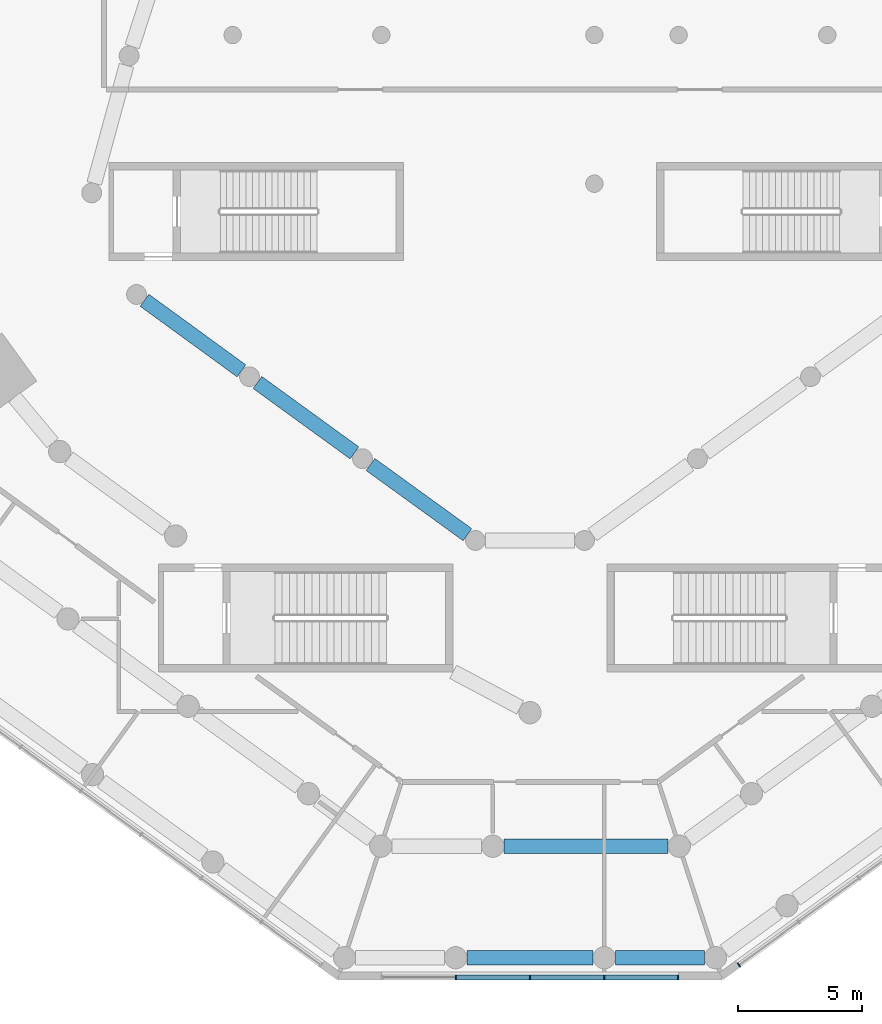
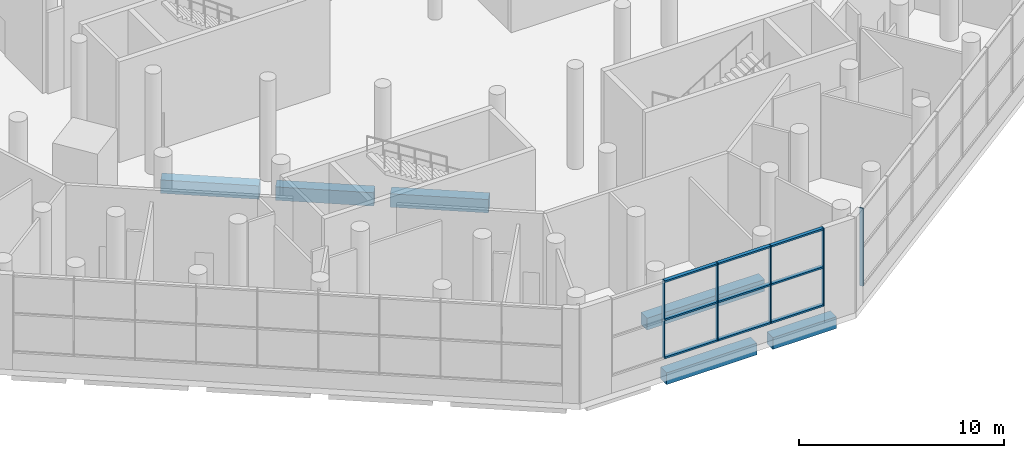
# One storey, part 4 of 19: 14 members, 6 beams, 2 elements without a shape of their own.
"""IFC4 building model written with IfcOpenShell, lengths in metres."""

from ifc_helpers import new_model, si_unit, direction, frame, origin, origin_2d, place, context, subcontext, project, spatial, rectangle, extrude, material, material_profile, profile_set, type_object, element, aggregate, save


model = new_model("IFC4")

# Units and contexts
model_context = context("Model", 3, precision=1e-05, world=origin(), true_north=direction((0.0, 1.0)))
body_context = subcontext(model_context, "Body", "Model", "MODEL_VIEW")
ifc_project = project(units=[si_unit("LENGTHUNIT", "METRE"), si_unit("AREAUNIT", "SQUARE_METRE"), si_unit("VOLUMEUNIT", "CUBIC_METRE"), si_unit("PLANEANGLEUNIT", "RADIAN"), si_unit("MASSUNIT", "GRAM", prefix="KILO")], contexts=[model_context])

# Site, building, storey
site_placement = place(None, origin())
site = spatial("IfcSite", under=ifc_project, at=site_placement, CompositionType="ELEMENT")
building_placement = place(site_placement, origin())
building = spatial("IfcBuilding", under=site, at=building_placement, Name="White Candle Pilgrim Tower", CompositionType="ELEMENT")
storey_placement = place(building_placement, frame((0.0, 0.0, 23.0)))
storey = spatial("IfcBuildingStorey", under=building, at=storey_placement, Name="L03", CompositionType="ELEMENT", Elevation=23.0)

# Curtain wall, members
ifc_material_1 = material(Name="Aluminium and glass", Category="aluminium")
curtain_wall_type = type_object("IfcCurtainWallType", Name="Curtain wall CW2 prayer hall clerestory", PredefinedType="NOTDEFINED", material=ifc_material_1)
curtain_wall_1_placement = place(storey_placement, origin())
curtain_wall_1 = element("IfcCurtainWall", 1, at=curtain_wall_1_placement, inside=storey, type_object=curtain_wall_type, Name="Curtain wall CW2 L03 S chamfer", PredefinedType="NOTDEFINED")
ifc_material_2 = material(Name="Aluminium", Category="aluminium")
ifc_material_profile_1 = material_profile(ifc_material_2, rectangle(XDim=0.199951171875, YDim=0.050048828125, at=origin_2d()), Name="CW2 mullion 50x200")
ifc_profile_set_1 = profile_set([ifc_material_profile_1], Name="Aluminium")
member_type_1 = type_object("IfcMemberType", Name="CW2 mullion 50x200", PredefinedType="MULLION", material=ifc_profile_set_1)
member_1_placement = place(storey_placement, frame((67.0, 28.961181640625, 1.0), z_axis=(0.0, 0.0, 1.0), x_axis=(0.0, 1.0, 0.0)))
member_1 = element("IfcMember", 2, at=member_1_placement, type_object=member_type_1, Name="CW2 mullion 2", PredefinedType="MULLION", context=body_context, shape_type="SweptSolid", body=[
    extrude(rectangle(XDim=0.199951171875, YDim=0.050048828125, at=origin_2d()), origin(), (0.0, 0.0, 1.0), 4.64990234375),
])
member_2_placement = place(storey_placement, frame((70.0, 28.961181640625, 1.0), z_axis=(0.0, 0.0, 1.0), x_axis=(0.0, 1.0, 0.0)))
member_2 = element("IfcMember", 3, at=member_2_placement, type_object=member_type_1, Name="CW2 mullion 3", PredefinedType="MULLION", context=body_context, shape_type="SweptSolid", body=[
    extrude(rectangle(XDim=0.199951171875, YDim=0.050048828125, at=origin_2d()), origin(), (0.0, 0.0, 1.0), 4.64990234375),
])
member_3_placement = place(storey_placement, frame((73.0, 28.961181640625, 1.0), z_axis=(0.0, 0.0, 1.0), x_axis=(0.0, 1.0, 0.0)))
member_3 = element("IfcMember", 4, at=member_3_placement, type_object=member_type_1, Name="CW2 mullion 4", PredefinedType="MULLION", context=body_context, shape_type="SweptSolid", body=[
    extrude(rectangle(XDim=0.199951171875, YDim=0.050048828125, at=origin_2d()), origin(), (0.0, 0.0, 1.0), 4.64990234375),
])
member_4_placement = place(storey_placement, frame((75.97509765625, 28.961181640625, 1.0), z_axis=(0.0, 0.0, 1.0), x_axis=(0.0, 1.0, 0.0)))
member_4 = element("IfcMember", 5, at=member_4_placement, type_object=member_type_1, Name="CW2 mullion 5", PredefinedType="MULLION", context=body_context, shape_type="SweptSolid", body=[
    extrude(rectangle(XDim=0.199951171875, YDim=0.050048828125, at=origin_2d()), origin(), (0.0, 0.0, 1.0), 4.64990234375),
])

# Curtain wall, member
curtain_wall_2_placement = place(storey_placement, origin())
curtain_wall_2 = element("IfcCurtainWall", 6, at=curtain_wall_2_placement, inside=storey, type_object=curtain_wall_type, Name="Curtain wall CW2 L03 SE", PredefinedType="NOTDEFINED")
member_5_placement = place(storey_placement, frame((78.4365234375, 29.462890625, 1.0), z_axis=(0.0, 0.0, 1.0), x_axis=(-0.587785249384, 0.809016996488, 0.0)))
member_5 = element("IfcMember", 7, at=member_5_placement, type_object=member_type_1, Name="CW2 mullion 1", PredefinedType="MULLION", context=body_context, shape_type="SweptSolid", body=[
    extrude(rectangle(XDim=0.199951171875, YDim=0.050048828125, at=origin_2d()), origin(), (0.0, 0.0, 1.0), 4.64990234375),
])
aggregate(curtain_wall_2, [member_5])

# Member
ifc_material_profile_2 = material_profile(ifc_material_2, rectangle(XDim=0.199951171875, YDim=0.10009765625, at=origin_2d()), Name="CW2 transom 100x200")
ifc_profile_set_2 = profile_set([ifc_material_profile_2], Name="Aluminium")
member_type_2 = type_object("IfcMemberType", Name="CW2 transom 100x200", PredefinedType="USERDEFINED", material=ifc_profile_set_2)
member_6_placement = place(storey_placement, frame((67.02490234375, 28.961181640625, 1.050048828125), z_axis=(1.0, 0.0, 0.0), x_axis=(0.0, 1.0, 0.0)))
member_6 = element("IfcMember", 8, at=member_6_placement, type_object=member_type_2, Name="CW2 transom 2.1", ObjectType="TRANSOM", PredefinedType="USERDEFINED", context=body_context, shape_type="SweptSolid", body=[
    extrude(rectangle(XDim=0.199951171875, YDim=0.10009765625, at=origin_2d()), origin(), (0.0, 0.0, 1.0), 2.9501953125),
])

member_7_placement = place(storey_placement, frame((67.02490234375, 28.961181640625, 3.324951171875), z_axis=(1.0, 0.0, 0.0), x_axis=(0.0, 1.0, 0.0)))
member_7 = element("IfcMember", 9, at=member_7_placement, type_object=member_type_2, Name="CW2 transom 2.2", ObjectType="TRANSOM", PredefinedType="USERDEFINED", context=body_context, shape_type="SweptSolid", body=[
    extrude(rectangle(XDim=0.199951171875, YDim=0.10009765625, at=origin_2d()), origin(), (0.0, 0.0, 1.0), 2.9501953125),
])

member_8_placement = place(storey_placement, frame((67.02490234375, 28.961181640625, 5.60009765625), z_axis=(1.0, 0.0, 0.0), x_axis=(0.0, 1.0, 0.0)))
member_8 = element("IfcMember", 10, at=member_8_placement, type_object=member_type_2, Name="CW2 transom 2.3", ObjectType="TRANSOM", PredefinedType="USERDEFINED", context=body_context, shape_type="SweptSolid", body=[
    extrude(rectangle(XDim=0.199951171875, YDim=0.10009765625, at=origin_2d()), origin(), (0.0, 0.0, 1.0), 2.9501953125),
])

member_9_placement = place(storey_placement, frame((70.02490234375, 28.961181640625, 1.050048828125), z_axis=(1.0, 0.0, 0.0), x_axis=(0.0, 1.0, 0.0)))
member_9 = element("IfcMember", 11, at=member_9_placement, type_object=member_type_2, Name="CW2 transom 3.1", ObjectType="TRANSOM", PredefinedType="USERDEFINED", context=body_context, shape_type="SweptSolid", body=[
    extrude(rectangle(XDim=0.199951171875, YDim=0.10009765625, at=origin_2d()), origin(), (0.0, 0.0, 1.0), 2.9501953125),
])

member_10_placement = place(storey_placement, frame((70.02490234375, 28.961181640625, 3.324951171875), z_axis=(1.0, 0.0, 0.0), x_axis=(0.0, 1.0, 0.0)))
member_10 = element("IfcMember", 12, at=member_10_placement, type_object=member_type_2, Name="CW2 transom 3.2", ObjectType="TRANSOM", PredefinedType="USERDEFINED", context=body_context, shape_type="SweptSolid", body=[
    extrude(rectangle(XDim=0.199951171875, YDim=0.10009765625, at=origin_2d()), origin(), (0.0, 0.0, 1.0), 2.9501953125),
])

member_11_placement = place(storey_placement, frame((70.02490234375, 28.961181640625, 5.60009765625), z_axis=(1.0, 0.0, 0.0), x_axis=(0.0, 1.0, 0.0)))
member_11 = element("IfcMember", 13, at=member_11_placement, type_object=member_type_2, Name="CW2 transom 3.3", ObjectType="TRANSOM", PredefinedType="USERDEFINED", context=body_context, shape_type="SweptSolid", body=[
    extrude(rectangle(XDim=0.199951171875, YDim=0.10009765625, at=origin_2d()), origin(), (0.0, 0.0, 1.0), 2.9501953125),
])

member_12_placement = place(storey_placement, frame((73.02490234375, 28.961181640625, 1.050048828125), z_axis=(1.0, 0.0, 0.0), x_axis=(0.0, 1.0, 0.0)))
member_12 = element("IfcMember", 14, at=member_12_placement, type_object=member_type_2, Name="CW2 transom 4.1", ObjectType="TRANSOM", PredefinedType="USERDEFINED", context=body_context, shape_type="SweptSolid", body=[
    extrude(rectangle(XDim=0.199951171875, YDim=0.10009765625, at=origin_2d()), origin(), (0.0, 0.0, 1.0), 2.925048828125),
])

member_13_placement = place(storey_placement, frame((73.02490234375, 28.961181640625, 3.324951171875), z_axis=(1.0, 0.0, 0.0), x_axis=(0.0, 1.0, 0.0)))
member_13 = element("IfcMember", 15, at=member_13_placement, type_object=member_type_2, Name="CW2 transom 4.2", ObjectType="TRANSOM", PredefinedType="USERDEFINED", context=body_context, shape_type="SweptSolid", body=[
    extrude(rectangle(XDim=0.199951171875, YDim=0.10009765625, at=origin_2d()), origin(), (0.0, 0.0, 1.0), 2.925048828125),
])

member_14_placement = place(storey_placement, frame((73.02490234375, 28.961181640625, 5.60009765625), z_axis=(1.0, 0.0, 0.0), x_axis=(0.0, 1.0, 0.0)))
member_14 = element("IfcMember", 16, at=member_14_placement, type_object=member_type_2, Name="CW2 transom 4.3", ObjectType="TRANSOM", PredefinedType="USERDEFINED", context=body_context, shape_type="SweptSolid", body=[
    extrude(rectangle(XDim=0.199951171875, YDim=0.10009765625, at=origin_2d()), origin(), (0.0, 0.0, 1.0), 2.925048828125),
])

aggregate(curtain_wall_1, [member_1, member_2, member_3, member_4, member_6, member_7, member_8, member_9, member_10, member_11, member_12, member_13, member_14])

# Beams
ifc_material_3 = material(Name="Concrete C50/60", Category="concrete")
ifc_material_profile_3 = material_profile(ifc_material_3, rectangle(XDim=0.60009765625, YDim=0.800048828125, at=origin_2d()), Name="RC-BM 600x800")
ifc_profile_set_3 = profile_set([ifc_material_profile_3], Name="Concrete C50/60")
beam_type_1 = type_object("IfcBeamType", Name="Ring beam RC-BM 600x800 C50/60", PredefinedType="BEAM", material=ifc_profile_set_3)
beam_1_placement = place(storey_placement, frame((54.443115234375, 56.294677734375, -0.75), z_axis=(0.808428473545, -0.588594430115, 0.0), x_axis=(0.588594430115, 0.808428473545, 0.0)))
element("IfcBeam", 17, at=beam_1_placement, inside=storey, type_object=beam_type_1, Name="L03 ring beam R01", PredefinedType="BEAM", context=body_context, shape_type="SweptSolid", body=[
    extrude(rectangle(XDim=0.60009765625, YDim=0.800048828125, at=origin_2d()), origin(), (0.0, 0.0, 1.0), 4.841064453125),
])
beam_2_placement = place(storey_placement, frame((59.00341796875, 52.97509765625, -0.75), z_axis=(0.809305595912, -0.587387821141, 0.0), x_axis=(0.587387821141, 0.809305595912, 0.0)))
element("IfcBeam", 18, at=beam_2_placement, inside=storey, type_object=beam_type_1, Name="L03 ring beam R02", PredefinedType="BEAM", context=body_context, shape_type="SweptSolid", body=[
    extrude(rectangle(XDim=0.60009765625, YDim=0.800048828125, at=origin_2d()), origin(), (0.0, 0.0, 1.0), 4.835205078125),
])
beam_3_placement = place(storey_placement, frame((63.56396484375, 49.66552734375, -0.75), z_axis=(0.810124276712, -0.586258182273, 0.0), x_axis=(0.586258182273, 0.810124276712, 0.0)))
element("IfcBeam", 19, at=beam_3_placement, inside=storey, type_object=beam_type_1, Name="L03 ring beam R03", PredefinedType="BEAM", context=body_context, shape_type="SweptSolid", body=[
    extrude(rectangle(XDim=0.60009765625, YDim=0.800048828125, at=origin_2d()), origin(), (0.0, 0.0, 1.0), 4.8291015625),
])
ifc_material_profile_4 = material_profile(ifc_material_3, rectangle(XDim=0.60009765625, YDim=0.699951171875, at=origin_2d()), Name="RC-BM 600x700")
ifc_profile_set_4 = profile_set([ifc_material_profile_4], Name="Concrete C50/60")
beam_type_2 = type_object("IfcBeamType", Name="Spandrel beam RC-BM 600x700 C50/60", PredefinedType="BEAM", material=ifc_profile_set_4)
beam_4_placement = place(storey_placement, frame((67.449951171875, 29.760986328125, -0.699951171875), z_axis=(1.0, 0.0, 0.0), x_axis=(0.0, 1.0, 0.0)))
element("IfcBeam", 20, at=beam_4_placement, inside=storey, type_object=beam_type_2, Name="L03 spandrel beam B09", PredefinedType="BEAM", context=body_context, shape_type="SweptSolid", body=[
    extrude(rectangle(XDim=0.60009765625, YDim=0.699951171875, at=origin_2d()), origin(), (0.0, 0.0, 1.0), 5.10009765625),
])
beam_5_placement = place(storey_placement, frame((73.449951171875, 29.760986328125, -0.699951171875), z_axis=(1.0, 0.0, 0.0), x_axis=(0.0, 1.0, 0.0)))
element("IfcBeam", 21, at=beam_5_placement, inside=storey, type_object=beam_type_2, Name="L03 spandrel beam B10", PredefinedType="BEAM", context=body_context, shape_type="SweptSolid", body=[
    extrude(rectangle(XDim=0.60009765625, YDim=0.699951171875, at=origin_2d()), origin(), (0.0, 0.0, 1.0), 3.5859375),
])
beam_6_placement = place(storey_placement, frame((68.949951171875, 34.260986328125, -0.699951171875), z_axis=(1.0, 0.0, 0.0), x_axis=(0.0, 1.0, 0.0)))
element("IfcBeam", 22, at=beam_6_placement, inside=storey, type_object=beam_type_2, Name="L03 spandrel beam C08", PredefinedType="BEAM", context=body_context, shape_type="SweptSolid", body=[
    extrude(rectangle(XDim=0.60009765625, YDim=0.699951171875, at=origin_2d()), origin(), (0.0, 0.0, 1.0), 6.6240234375),
])

save(model, "model.ifc")
